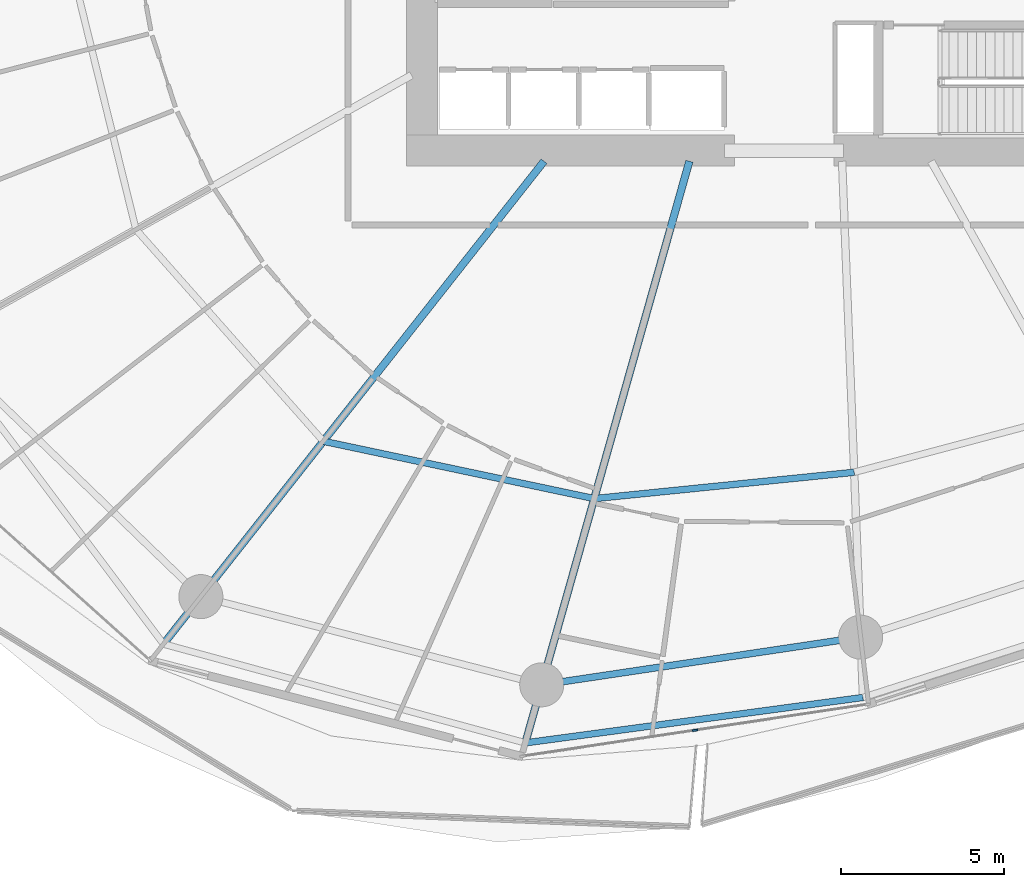
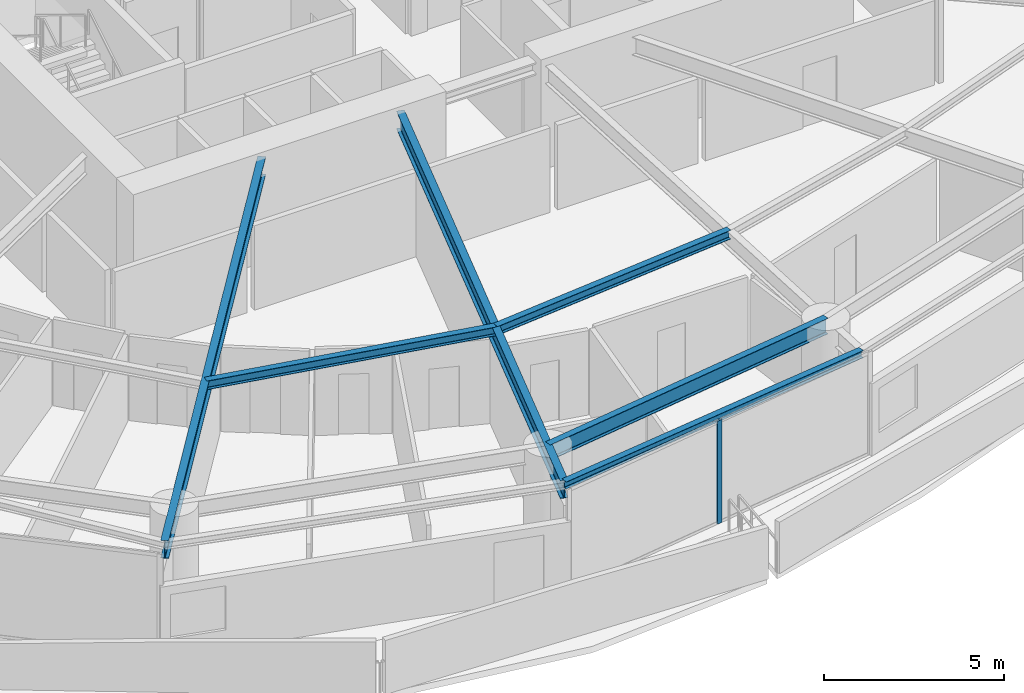
# One storey, part 8 of 31: 6 beams, 1 member, 1 element without a shape of its own.
"""IFC4 building model written with IfcOpenShell, lengths in metres."""

from ifc_helpers import new_model, si_unit, direction, frame, origin, origin_2d, place, context, subcontext, project, spatial, rectangle, i_section, extrude, material, layer, layer_set, material_profile, profile_set, type_object, element, aggregate, save


model = new_model("IFC4")

# Units and contexts
model_context = context("Model", 3, precision=1e-05, world=origin(), true_north=direction((0.0, 1.0)))
body_context = subcontext(model_context, "Body", "Model", "MODEL_VIEW")
ifc_project = project(units=[si_unit("LENGTHUNIT", "METRE"), si_unit("AREAUNIT", "SQUARE_METRE"), si_unit("VOLUMEUNIT", "CUBIC_METRE"), si_unit("PLANEANGLEUNIT", "RADIAN"), si_unit("MASSUNIT", "GRAM", prefix="KILO")], contexts=[model_context])

# Site, building, storey
site_placement = place(None, origin())
site = spatial("IfcSite", under=ifc_project, at=site_placement, CompositionType="ELEMENT")
building_placement = place(site_placement, origin())
building = spatial("IfcBuilding", under=site, at=building_placement, Name="Kazma Halo Residences", CompositionType="ELEMENT")
storey_placement = place(building_placement, frame((0.0, 0.0, 52.64990234375)))
storey = spatial("IfcBuildingStorey", under=building, at=storey_placement, Name="L12", CompositionType="ELEMENT", Elevation=52.64990234375)

# Beams
ifc_material_1 = material(Name="Steel S355", Category="steel")
ifc_material_profile_1 = material_profile(ifc_material_1, i_section(OverallWidth=0.201904296875, OverallDepth=0.2470703125, WebThickness=0.00732421875, FlangeThickness=0.010986328125, FilletRadius=0.011962890625, at=origin_2d()), Name="W250x49.1")
ifc_profile_set_1 = profile_set([ifc_material_profile_1], Name="Steel S355")
beam_type_1 = type_object("IfcBeamType", Name="BM-BAL-CANT", PredefinedType="BEAM", material=ifc_profile_set_1)
beam_1_placement = place(storey_placement, frame((40.489501953125, 15.3701171875, 3.376708984375), z_axis=(0.991080087388, 0.133267626912, 0.0), x_axis=(-0.133267626912, 0.991080087388, 0.0)))
element("IfcBeam", 1, at=beam_1_placement, inside=storey, type_object=beam_type_1, Name="L12 wave-balcony tie beam 11", PredefinedType="BEAM", context=body_context, shape_type="SweptSolid", body=[
    extrude(i_section(OverallWidth=0.201904296875, OverallDepth=0.2470703125, WebThickness=0.00732421875, FlangeThickness=0.010986328125, FilletRadius=0.011962890625, at=origin_2d()), origin(), (0.0, 0.0, 1.0), 10.444091796875),
])
ifc_material_profile_2 = material_profile(ifc_material_1, i_section(OverallWidth=0.22802734375, OverallDepth=0.60791015625, WebThickness=0.01123046875, FlangeThickness=0.017333984375, FilletRadius=0.01806640625, at=origin_2d()), Name="W610x113")
ifc_profile_set_2 = profile_set([ifc_material_profile_2], Name="Steel S355")
beam_type_2 = type_object("IfcBeamType", Name="BM-RAD-W610", PredefinedType="BEAM", material=ifc_profile_set_2)
beam_2_placement = place(storey_placement, frame((41.0625, 33.199951171875, 3.196044921875), z_axis=(-0.619092154321, -0.785318345932, 0.0), x_axis=(0.785318345932, -0.619092154321, 0.0)))
element("IfcBeam", 2, at=beam_2_placement, inside=storey, type_object=beam_type_2, Name="L12 radial floor beam 10", PredefinedType="BEAM", context=body_context, shape_type="SweptSolid", body=[
    extrude(i_section(OverallWidth=0.22802734375, OverallDepth=0.60791015625, WebThickness=0.01123046875, FlangeThickness=0.017333984375, FilletRadius=0.01806640625, at=origin_2d()), origin(), (0.0, 0.0, 1.0), 18.84375),
])
beam_3_placement = place(storey_placement, frame((45.51806640625, 33.199951171875, 3.196044921875), z_axis=(-0.271442010129, -0.962454796412, 0.0), x_axis=(0.962454796412, -0.271442010129, 0.0)))
element("IfcBeam", 3, at=beam_3_placement, inside=storey, type_object=beam_type_2, Name="L12 radial floor beam 11", PredefinedType="BEAM", context=body_context, shape_type="SweptSolid", body=[
    extrude(i_section(OverallWidth=0.22802734375, OverallDepth=0.60791015625, WebThickness=0.01123046875, FlangeThickness=0.017333984375, FilletRadius=0.01806640625, at=origin_2d()), origin(), (0.0, 0.0, 1.0), 18.525390625),
])
ifc_material_profile_3 = material_profile(ifc_material_1, i_section(OverallWidth=0.202880859375, OverallDepth=0.302978515625, WebThickness=0.007568359375, FlangeThickness=0.01318359375, FilletRadius=0.013916015625, at=origin_2d()), Name="W310x60")
ifc_profile_set_3 = profile_set([ifc_material_profile_3], Name="Steel S355")
beam_type_3 = type_object("IfcBeamType", Name="BM-SEC-W310A", PredefinedType="JOIST", material=ifc_profile_set_3)
beam_4_placement = place(storey_placement, frame((34.296142578125, 24.616943359375, 3.3486328125), z_axis=(0.97831665719, -0.207114746615, 0.0), x_axis=(0.207114746615, 0.97831665719, 0.0)))
element("IfcBeam", 4, at=beam_4_placement, inside=storey, type_object=beam_type_3, Name="L12 circumferential floor joist 10", PredefinedType="JOIST", context=body_context, shape_type="SweptSolid", body=[
    extrude(i_section(OverallWidth=0.202880859375, OverallDepth=0.302978515625, WebThickness=0.007568359375, FlangeThickness=0.01318359375, FilletRadius=0.013916015625, at=origin_2d()), origin(), (0.0, 0.0, 1.0), 8.489501953125),
])
beam_5_placement = place(storey_placement, frame((42.6015625, 22.858642578125, 3.3486328125), z_axis=(0.994907811148, 0.100789123008, 0.0), x_axis=(-0.100789123008, 0.994907811148, 0.0)))
element("IfcBeam", 5, at=beam_5_placement, inside=storey, type_object=beam_type_3, Name="L12 circumferential floor joist 11", PredefinedType="JOIST", context=body_context, shape_type="SweptSolid", body=[
    extrude(i_section(OverallWidth=0.202880859375, OverallDepth=0.302978515625, WebThickness=0.007568359375, FlangeThickness=0.01318359375, FilletRadius=0.013916015625, at=origin_2d()), origin(), (0.0, 0.0, 1.0), 8.010498046875),
])
ifc_material_profile_4 = material_profile(ifc_material_1, i_section(OverallWidth=0.208984375, OverallDepth=0.532958984375, WebThickness=0.01025390625, FlangeThickness=0.015625, FilletRadius=0.01611328125, at=origin_2d()), Name="W530x92")
ifc_profile_set_4 = profile_set([ifc_material_profile_4], Name="Steel S355")
beam_type_4 = type_object("IfcBeamType", Name="BM-SPN-W530", PredefinedType="BEAM", material=ifc_profile_set_4)
beam_6_placement = place(storey_placement, frame((40.99169921875, 17.150634765625, 3.233642578125), z_axis=(0.989033061974, 0.147694286693, 0.0), x_axis=(-0.147694286693, 0.989033061974, 0.0)))
element("IfcBeam", 6, at=beam_6_placement, inside=storey, type_object=beam_type_4, Name="L12 perimeter ring beam 11", PredefinedType="BEAM", context=body_context, shape_type="SweptSolid", body=[
    extrude(i_section(OverallWidth=0.208984375, OverallDepth=0.532958984375, WebThickness=0.01025390625, FlangeThickness=0.015625, FilletRadius=0.01611328125, at=origin_2d()), origin(), (0.0, 0.0, 1.0), 9.885009765625),
])

# Curtain wall, member
ifc_material_2 = material(Name="Aluminium AW-6063 T6 and Triple-Silver Low-E Glass", Category="aluminium")
ifc_layer = layer(ifc_material_2, 0.159912109375)
ifc_layer_set = layer_set([ifc_layer], Name="Aluminium AW-6063 T6 and Triple-Silver Low-E Glass")
curtain_wall_type = type_object("IfcCurtainWallType", Name="CW-SYS-2", PredefinedType="NOTDEFINED", material=ifc_layer_set)
curtain_wall_placement = place(storey_placement, origin())
curtain_wall = element("IfcCurtainWall", 7, at=curtain_wall_placement, inside=storey, type_object=curtain_wall_type, Name="L12 unitised curtain wall B11", PredefinedType="NOTDEFINED")
ifc_material_3 = material(Name="Aluminium AW-6063 T6", Category="aluminium")
ifc_material_profile_5 = material_profile(ifc_material_3, rectangle(XDim=0.06005859375, YDim=0.159912109375, at=origin_2d()), Name="CWM-60x160")
ifc_profile_set_5 = profile_set([ifc_material_profile_5], Name="Aluminium AW-6063 T6")
member_type = type_object("IfcMemberType", Name="CW-SYS-2-MUL", PredefinedType="MULLION", material=ifc_profile_set_5)
member_placement = place(storey_placement, frame((45.6923828125, 15.75732421875, 0.0), z_axis=(0.0, 0.0, 1.0), x_axis=(-0.148657272805, 0.988888777994, 0.0)))
member = element("IfcMember", 8, at=member_placement, type_object=member_type, Name="CWS-2 mullion 2", PredefinedType="MULLION", context=body_context, shape_type="SweptSolid", body=[
    extrude(rectangle(XDim=0.06005859375, YDim=0.159912109375, at=origin_2d()), origin(), (0.0, 0.0, 1.0), 3.5),
])
aggregate(curtain_wall, [member])

save(model, "model.ifc")
